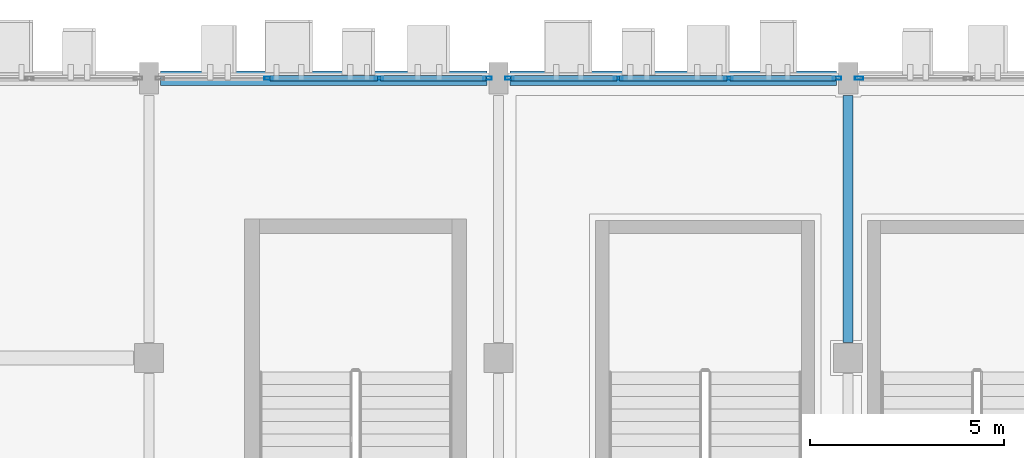
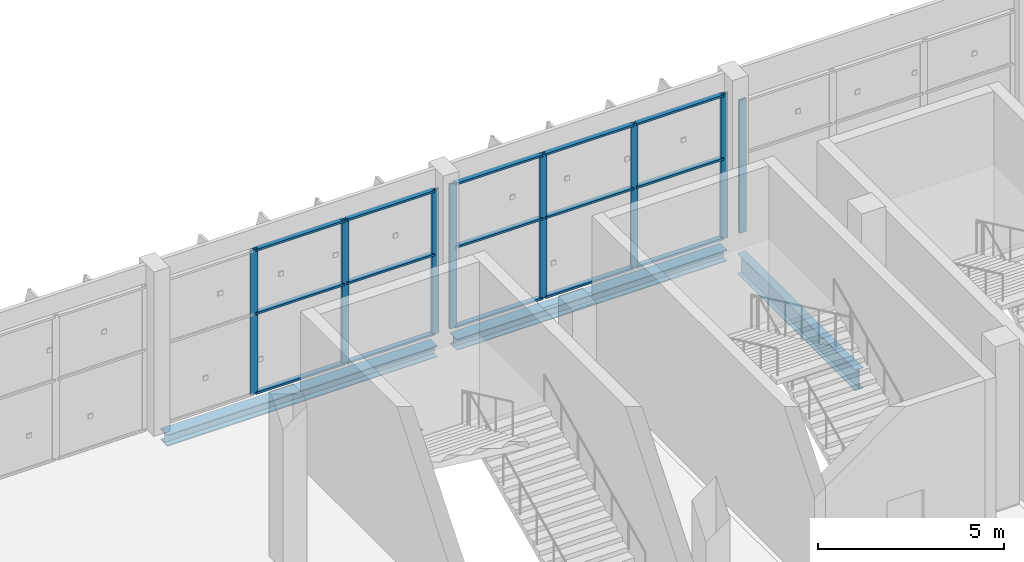
# One storey, part 102 of 189: 23 members, 3 beams, 3 elements without a shape of their own.
"""IFC4 building model written with IfcOpenShell, lengths in metres."""

from ifc_helpers import new_model, si_unit, direction, frame, origin, origin_2d, place, context, subcontext, project, spatial, hollow_rectangle, i_section, extrude, material, layer, layer_set, material_profile, profile_set, type_object, element, aggregate, save


model = new_model("IFC4")

# Units and contexts
model_context = context("Model", 3, precision=1e-05, world=origin(), true_north=direction((0.0, 1.0)))
body_context = subcontext(model_context, "Body", "Model", "MODEL_VIEW")
ifc_project = project(units=[si_unit("LENGTHUNIT", "METRE"), si_unit("AREAUNIT", "SQUARE_METRE"), si_unit("VOLUMEUNIT", "CUBIC_METRE"), si_unit("PLANEANGLEUNIT", "RADIAN"), si_unit("MASSUNIT", "GRAM", prefix="KILO")], contexts=[model_context])

# Site, building, storey
site_placement = place(None, origin())
site = spatial("IfcSite", under=ifc_project, at=site_placement, CompositionType="ELEMENT")
building_placement = place(site_placement, origin())
building = spatial("IfcBuilding", under=site, at=building_placement, Name="Celestram Park Convention Centre", CompositionType="ELEMENT")
storey_placement = place(building_placement, frame((0.0, 0.0, 5.39990234375)))
storey = spatial("IfcBuildingStorey", under=building, at=storey_placement, Name="L01", CompositionType="ELEMENT", Elevation=5.39990234375)

# Curtain wall, members
ifc_material_1 = material(Name="Anodised Aluminium Alloy 6063-T6", Category="aluminium")
ifc_layer_1 = layer(ifc_material_1, 0.179931640625)
ifc_layer_set_1 = layer_set([ifc_layer_1], Name="Anodised Aluminium Alloy 6063-T6")
curtain_wall_type_1 = type_object("IfcCurtainWallType", Name="ARC-CW-850X476", PredefinedType="NOTDEFINED", material=ifc_layer_set_1)
curtain_wall_1_placement = place(storey_placement, origin())
curtain_wall_1 = element("IfcCurtainWall", 1, at=curtain_wall_1_placement, inside=storey, type_object=curtain_wall_type_1, Name="Unitised curtain wall CU-L01-065", PredefinedType="NOTDEFINED")
ifc_material_profile_1 = material_profile(ifc_material_1, hollow_rectangle(XDim=0.074951171875, YDim=0.219970703125, WallThickness=0.00390625, at=origin_2d()), Name="ALU75X220X4")
ifc_profile_set_1 = profile_set([ifc_material_profile_1], Name="Anodised Aluminium Alloy 6063-T6")
member_type_1 = type_object("IfcMemberType", Name="ARC-CWM-180", PredefinedType="MULLION", material=ifc_profile_set_1)
member_1_placement = place(storey_placement, frame((129.082763671875, 165.60009765625, 0.0), z_axis=(0.0, 0.0, 1.0), x_axis=(0.0, 1.0, 0.0)))
member_1 = element("IfcMember", 2, at=member_1_placement, type_object=member_type_1, Name="CW-85X47 mullion 2", PredefinedType="MULLION", context=body_context, shape_type="SweptSolid", body=[
    extrude(hollow_rectangle(XDim=0.074951171875, YDim=0.219970703125, WallThickness=0.00390625, at=origin_2d()), origin(), (0.0, 0.0, 1.0), 4.76416015625),
])
member_2_placement = place(storey_placement, frame((131.917236328125, 165.60009765625, 0.0), z_axis=(0.0, 0.0, 1.0), x_axis=(0.0, 1.0, 0.0)))
member_2 = element("IfcMember", 3, at=member_2_placement, type_object=member_type_1, Name="CW-85X47 mullion 3", PredefinedType="MULLION", context=body_context, shape_type="SweptSolid", body=[
    extrude(hollow_rectangle(XDim=0.074951171875, YDim=0.219970703125, WallThickness=0.00390625, at=origin_2d()), origin(), (0.0, 0.0, 1.0), 4.76416015625),
])
member_3_placement = place(storey_placement, frame((134.714599609375, 165.60009765625, 0.0), z_axis=(0.0, 0.0, 1.0), x_axis=(0.0, 1.0, 0.0)))
member_3 = element("IfcMember", 4, at=member_3_placement, type_object=member_type_1, Name="CW-85X47 mullion 4", PredefinedType="MULLION", context=body_context, shape_type="SweptSolid", body=[
    extrude(hollow_rectangle(XDim=0.074951171875, YDim=0.219970703125, WallThickness=0.00390625, at=origin_2d()), origin(), (0.0, 0.0, 1.0), 4.76416015625),
])

curtain_wall_2_placement = place(storey_placement, origin())
curtain_wall_2 = element("IfcCurtainWall", 5, at=curtain_wall_2_placement, inside=storey, type_object=curtain_wall_type_1, Name="Unitised curtain wall CU-L01-066", PredefinedType="NOTDEFINED")
member_4_placement = place(storey_placement, frame((135.285400390625, 165.60009765625, 0.0), z_axis=(0.0, 0.0, 1.0), x_axis=(0.0, 1.0, 0.0)))
member_4 = element("IfcMember", 6, at=member_4_placement, type_object=member_type_1, Name="CW-85X47 mullion 1", PredefinedType="MULLION", context=body_context, shape_type="SweptSolid", body=[
    extrude(hollow_rectangle(XDim=0.074951171875, YDim=0.219970703125, WallThickness=0.00390625, at=origin_2d()), origin(), (0.0, 0.0, 1.0), 4.76416015625),
])
member_5_placement = place(storey_placement, frame((138.082763671875, 165.60009765625, 0.0), z_axis=(0.0, 0.0, 1.0), x_axis=(0.0, 1.0, 0.0)))
member_5 = element("IfcMember", 7, at=member_5_placement, type_object=member_type_1, Name="CW-85X47 mullion 2", PredefinedType="MULLION", context=body_context, shape_type="SweptSolid", body=[
    extrude(hollow_rectangle(XDim=0.074951171875, YDim=0.219970703125, WallThickness=0.00390625, at=origin_2d()), origin(), (0.0, 0.0, 1.0), 4.76416015625),
])
member_6_placement = place(storey_placement, frame((140.917236328125, 165.60009765625, 0.0), z_axis=(0.0, 0.0, 1.0), x_axis=(0.0, 1.0, 0.0)))
member_6 = element("IfcMember", 8, at=member_6_placement, type_object=member_type_1, Name="CW-85X47 mullion 3", PredefinedType="MULLION", context=body_context, shape_type="SweptSolid", body=[
    extrude(hollow_rectangle(XDim=0.074951171875, YDim=0.219970703125, WallThickness=0.00390625, at=origin_2d()), origin(), (0.0, 0.0, 1.0), 4.76416015625),
])
member_7_placement = place(storey_placement, frame((143.714599609375, 165.60009765625, 0.0), z_axis=(0.0, 0.0, 1.0), x_axis=(0.0, 1.0, 0.0)))
member_7 = element("IfcMember", 9, at=member_7_placement, type_object=member_type_1, Name="CW-85X47 mullion 4", PredefinedType="MULLION", context=body_context, shape_type="SweptSolid", body=[
    extrude(hollow_rectangle(XDim=0.074951171875, YDim=0.219970703125, WallThickness=0.00390625, at=origin_2d()), origin(), (0.0, 0.0, 1.0), 4.76416015625),
])

# Curtain wall, member
ifc_layer_2 = layer(ifc_material_1, 0.179931640625)
ifc_layer_set_2 = layer_set([ifc_layer_2], Name="Anodised Aluminium Alloy 6063-T6")
curtain_wall_type_2 = type_object("IfcCurtainWallType", Name="ARC-CW-850X437", PredefinedType="NOTDEFINED", material=ifc_layer_set_2)
curtain_wall_3_placement = place(storey_placement, origin())
curtain_wall_3 = element("IfcCurtainWall", 10, at=curtain_wall_3_placement, inside=storey, type_object=curtain_wall_type_2, Name="Unitised curtain wall CU-L01-067", PredefinedType="NOTDEFINED")
member_8_placement = place(storey_placement, frame((144.285400390625, 165.60009765625, 0.0), z_axis=(0.0, 0.0, 1.0), x_axis=(0.0, 1.0, 0.0)))
member_8 = element("IfcMember", 11, at=member_8_placement, type_object=member_type_1, Name="CW-85X43 mullion 1", PredefinedType="MULLION", context=body_context, shape_type="SweptSolid", body=[
    extrude(hollow_rectangle(XDim=0.074951171875, YDim=0.219970703125, WallThickness=0.00390625, at=origin_2d()), origin(), (0.0, 0.0, 1.0), 4.3681640625),
])
aggregate(curtain_wall_3, [member_8])

# Member
ifc_material_profile_2 = material_profile(ifc_material_1, hollow_rectangle(XDim=0.14990234375, YDim=0.06494140625, WallThickness=0.0029296875, at=origin_2d()), Name="ALU150X65X3")
ifc_profile_set_2 = profile_set([ifc_material_profile_2], Name="Anodised Aluminium Alloy 6063-T6")
member_type_2 = type_object("IfcMemberType", Name="ARC-CWT-150", PredefinedType="USERDEFINED", material=ifc_profile_set_2)
member_9_placement = place(storey_placement, frame((129.1201171875, 165.60009765625, 0.03271484375), z_axis=(1.0, 0.0, 0.0), x_axis=(0.0, 1.0, 0.0)))
member_9 = element("IfcMember", 12, at=member_9_placement, type_object=member_type_2, Name="CW-85X47 transom 2.1", ObjectType="TRANSOM", PredefinedType="USERDEFINED", context=body_context, shape_type="SweptSolid", body=[
    extrude(hollow_rectangle(XDim=0.14990234375, YDim=0.06494140625, WallThickness=0.0029296875, at=origin_2d()), origin(), (0.0, 0.0, 1.0), 2.759765625),
])

member_10_placement = place(storey_placement, frame((129.1201171875, 165.60009765625, 2.650146484375), z_axis=(1.0, 0.0, 0.0), x_axis=(0.0, 1.0, 0.0)))
member_10 = element("IfcMember", 13, at=member_10_placement, type_object=member_type_2, Name="CW-85X47 transom 2.2", ObjectType="TRANSOM", PredefinedType="USERDEFINED", context=body_context, shape_type="SweptSolid", body=[
    extrude(hollow_rectangle(XDim=0.14990234375, YDim=0.06494140625, WallThickness=0.0029296875, at=origin_2d()), origin(), (0.0, 0.0, 1.0), 2.759765625),
])

member_11_placement = place(storey_placement, frame((129.1201171875, 165.60009765625, 4.731689453125), z_axis=(1.0, 0.0, 0.0), x_axis=(0.0, 1.0, 0.0)))
member_11 = element("IfcMember", 14, at=member_11_placement, type_object=member_type_2, Name="CW-85X47 transom 2.3", ObjectType="TRANSOM", PredefinedType="USERDEFINED", context=body_context, shape_type="SweptSolid", body=[
    extrude(hollow_rectangle(XDim=0.14990234375, YDim=0.06494140625, WallThickness=0.0029296875, at=origin_2d()), origin(), (0.0, 0.0, 1.0), 2.759765625),
])

member_12_placement = place(storey_placement, frame((131.954833984375, 165.60009765625, 0.03271484375), z_axis=(1.0, 0.0, 0.0), x_axis=(0.0, 1.0, 0.0)))
member_12 = element("IfcMember", 15, at=member_12_placement, type_object=member_type_2, Name="CW-85X47 transom 3.1", ObjectType="TRANSOM", PredefinedType="USERDEFINED", context=body_context, shape_type="SweptSolid", body=[
    extrude(hollow_rectangle(XDim=0.14990234375, YDim=0.06494140625, WallThickness=0.0029296875, at=origin_2d()), origin(), (0.0, 0.0, 1.0), 2.72216796875),
])

member_13_placement = place(storey_placement, frame((131.954833984375, 165.60009765625, 2.650146484375), z_axis=(1.0, 0.0, 0.0), x_axis=(0.0, 1.0, 0.0)))
member_13 = element("IfcMember", 16, at=member_13_placement, type_object=member_type_2, Name="CW-85X47 transom 3.2", ObjectType="TRANSOM", PredefinedType="USERDEFINED", context=body_context, shape_type="SweptSolid", body=[
    extrude(hollow_rectangle(XDim=0.14990234375, YDim=0.06494140625, WallThickness=0.0029296875, at=origin_2d()), origin(), (0.0, 0.0, 1.0), 2.72216796875),
])

member_14_placement = place(storey_placement, frame((131.954833984375, 165.60009765625, 4.731689453125), z_axis=(1.0, 0.0, 0.0), x_axis=(0.0, 1.0, 0.0)))
member_14 = element("IfcMember", 17, at=member_14_placement, type_object=member_type_2, Name="CW-85X47 transom 3.3", ObjectType="TRANSOM", PredefinedType="USERDEFINED", context=body_context, shape_type="SweptSolid", body=[
    extrude(hollow_rectangle(XDim=0.14990234375, YDim=0.06494140625, WallThickness=0.0029296875, at=origin_2d()), origin(), (0.0, 0.0, 1.0), 2.72216796875),
])

aggregate(curtain_wall_1, [member_1, member_2, member_3, member_9, member_10, member_11, member_12, member_13, member_14])

member_15_placement = place(storey_placement, frame((135.322998046875, 165.60009765625, 0.03271484375), z_axis=(1.0, 0.0, 0.0), x_axis=(0.0, 1.0, 0.0)))
member_15 = element("IfcMember", 18, at=member_15_placement, type_object=member_type_2, Name="CW-85X47 transom 1.1", ObjectType="TRANSOM", PredefinedType="USERDEFINED", context=body_context, shape_type="SweptSolid", body=[
    extrude(hollow_rectangle(XDim=0.14990234375, YDim=0.06494140625, WallThickness=0.0029296875, at=origin_2d()), origin(), (0.0, 0.0, 1.0), 2.72216796875),
])

member_16_placement = place(storey_placement, frame((135.322998046875, 165.60009765625, 2.650146484375), z_axis=(1.0, 0.0, 0.0), x_axis=(0.0, 1.0, 0.0)))
member_16 = element("IfcMember", 19, at=member_16_placement, type_object=member_type_2, Name="CW-85X47 transom 1.2", ObjectType="TRANSOM", PredefinedType="USERDEFINED", context=body_context, shape_type="SweptSolid", body=[
    extrude(hollow_rectangle(XDim=0.14990234375, YDim=0.06494140625, WallThickness=0.0029296875, at=origin_2d()), origin(), (0.0, 0.0, 1.0), 2.72216796875),
])

member_17_placement = place(storey_placement, frame((135.322998046875, 165.60009765625, 4.731689453125), z_axis=(1.0, 0.0, 0.0), x_axis=(0.0, 1.0, 0.0)))
member_17 = element("IfcMember", 20, at=member_17_placement, type_object=member_type_2, Name="CW-85X47 transom 1.3", ObjectType="TRANSOM", PredefinedType="USERDEFINED", context=body_context, shape_type="SweptSolid", body=[
    extrude(hollow_rectangle(XDim=0.14990234375, YDim=0.06494140625, WallThickness=0.0029296875, at=origin_2d()), origin(), (0.0, 0.0, 1.0), 2.72216796875),
])

member_18_placement = place(storey_placement, frame((138.1201171875, 165.60009765625, 0.03271484375), z_axis=(1.0, 0.0, 0.0), x_axis=(0.0, 1.0, 0.0)))
member_18 = element("IfcMember", 21, at=member_18_placement, type_object=member_type_2, Name="CW-85X47 transom 2.1", ObjectType="TRANSOM", PredefinedType="USERDEFINED", context=body_context, shape_type="SweptSolid", body=[
    extrude(hollow_rectangle(XDim=0.14990234375, YDim=0.06494140625, WallThickness=0.0029296875, at=origin_2d()), origin(), (0.0, 0.0, 1.0), 2.759765625),
])

member_19_placement = place(storey_placement, frame((138.1201171875, 165.60009765625, 2.650146484375), z_axis=(1.0, 0.0, 0.0), x_axis=(0.0, 1.0, 0.0)))
member_19 = element("IfcMember", 22, at=member_19_placement, type_object=member_type_2, Name="CW-85X47 transom 2.2", ObjectType="TRANSOM", PredefinedType="USERDEFINED", context=body_context, shape_type="SweptSolid", body=[
    extrude(hollow_rectangle(XDim=0.14990234375, YDim=0.06494140625, WallThickness=0.0029296875, at=origin_2d()), origin(), (0.0, 0.0, 1.0), 2.759765625),
])

member_20_placement = place(storey_placement, frame((138.1201171875, 165.60009765625, 4.731689453125), z_axis=(1.0, 0.0, 0.0), x_axis=(0.0, 1.0, 0.0)))
member_20 = element("IfcMember", 23, at=member_20_placement, type_object=member_type_2, Name="CW-85X47 transom 2.3", ObjectType="TRANSOM", PredefinedType="USERDEFINED", context=body_context, shape_type="SweptSolid", body=[
    extrude(hollow_rectangle(XDim=0.14990234375, YDim=0.06494140625, WallThickness=0.0029296875, at=origin_2d()), origin(), (0.0, 0.0, 1.0), 2.759765625),
])

member_21_placement = place(storey_placement, frame((140.954833984375, 165.60009765625, 0.03271484375), z_axis=(1.0, 0.0, 0.0), x_axis=(0.0, 1.0, 0.0)))
member_21 = element("IfcMember", 24, at=member_21_placement, type_object=member_type_2, Name="CW-85X47 transom 3.1", ObjectType="TRANSOM", PredefinedType="USERDEFINED", context=body_context, shape_type="SweptSolid", body=[
    extrude(hollow_rectangle(XDim=0.14990234375, YDim=0.06494140625, WallThickness=0.0029296875, at=origin_2d()), origin(), (0.0, 0.0, 1.0), 2.72216796875),
])

member_22_placement = place(storey_placement, frame((140.954833984375, 165.60009765625, 2.650146484375), z_axis=(1.0, 0.0, 0.0), x_axis=(0.0, 1.0, 0.0)))
member_22 = element("IfcMember", 25, at=member_22_placement, type_object=member_type_2, Name="CW-85X47 transom 3.2", ObjectType="TRANSOM", PredefinedType="USERDEFINED", context=body_context, shape_type="SweptSolid", body=[
    extrude(hollow_rectangle(XDim=0.14990234375, YDim=0.06494140625, WallThickness=0.0029296875, at=origin_2d()), origin(), (0.0, 0.0, 1.0), 2.72216796875),
])

member_23_placement = place(storey_placement, frame((140.954833984375, 165.60009765625, 4.731689453125), z_axis=(1.0, 0.0, 0.0), x_axis=(0.0, 1.0, 0.0)))
member_23 = element("IfcMember", 26, at=member_23_placement, type_object=member_type_2, Name="CW-85X47 transom 3.3", ObjectType="TRANSOM", PredefinedType="USERDEFINED", context=body_context, shape_type="SweptSolid", body=[
    extrude(hollow_rectangle(XDim=0.14990234375, YDim=0.06494140625, WallThickness=0.0029296875, at=origin_2d()), origin(), (0.0, 0.0, 1.0), 2.72216796875),
])

aggregate(curtain_wall_2, [member_4, member_5, member_6, member_7, member_15, member_16, member_17, member_18, member_19, member_20, member_21, member_22, member_23])

# Beams
ifc_material_2 = material(Name="Steel ASTM A992 Grade 50", Category="steel")
ifc_material_profile_3 = material_profile(ifc_material_2, i_section(OverallWidth=0.25390625, OverallDepth=0.68310546875, WebThickness=0.012451171875, FlangeThickness=0.01904296875, at=origin_2d()), Name="W27X94")
ifc_profile_set_3 = profile_set([ifc_material_profile_3], Name="Steel ASTM A992 Grade 50")
beam_type_1 = type_object("IfcBeamType", Name="STR-BM-W27X94", PredefinedType="BEAM", material=ifc_profile_set_3)
beam_placement = place(storey_placement, frame((144.0, 158.798095703125, -0.621337890625), z_axis=(0.0, 1.0, 0.0), x_axis=(-1.0, 0.0, 0.0)))
element("IfcBeam", 27, at=beam_placement, inside=storey, type_object=beam_type_1, Name="Primary Y-girder BG-L01-0355", PredefinedType="BEAM", context=body_context, shape_type="SweptSolid", body=[
    extrude(i_section(OverallWidth=0.25390625, OverallDepth=0.68310546875, WebThickness=0.012451171875, FlangeThickness=0.01904296875, at=origin_2d()), origin(), (0.0, 0.0, 1.0), 6.35400390625),
])
ifc_material_profile_4 = material_profile(ifc_material_2, i_section(OverallWidth=0.373046875, OverallDepth=0.373046875, WebThickness=0.016357421875, FlangeThickness=0.026123046875, at=origin_2d()), Name="W14X132")
ifc_profile_set_4 = profile_set([ifc_material_profile_4], Name="Steel ASTM A992 Grade 50")
beam_type_2 = type_object("IfcBeamType", Name="STR-SPN-W14X132", PredefinedType="SPANDREL", material=ifc_profile_set_4)
for number, where, z_axis, x_axis, name in (
    (28, (126.298095703125, 165.60009765625, -0.46630859375), (1.0, 0.0, 0.0), (0.0, 1.0, 0.0), "Primary X-girder BG-L01-0285"),
    (29, (135.298095703125, 165.60009765625, -0.46630859375), (1.0, 0.0, 0.0), (0.0, 1.0, 0.0), "Primary X-girder BG-L01-0324"),
):
    element("IfcBeam", number, at=place(storey_placement, frame(where, z_axis=z_axis, x_axis=x_axis)), inside=storey, type_object=beam_type_2, Name=name, PredefinedType="SPANDREL", context=body_context, shape_type="SweptSolid", body=[
        extrude(i_section(OverallWidth=0.373046875, OverallDepth=0.373046875, WebThickness=0.016357421875, FlangeThickness=0.026123046875, at=origin_2d()), origin(), (0.0, 0.0, 1.0), 8.40380859375),
    ])

save(model, "model.ifc")
